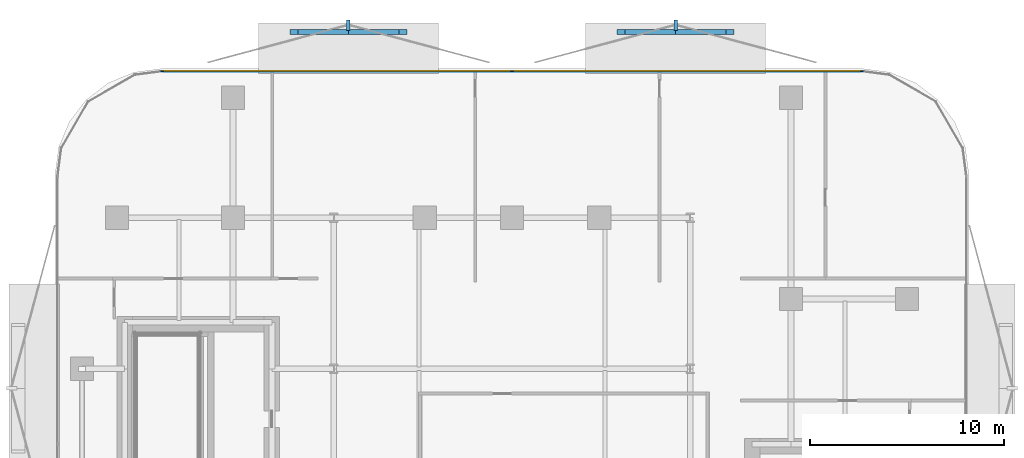
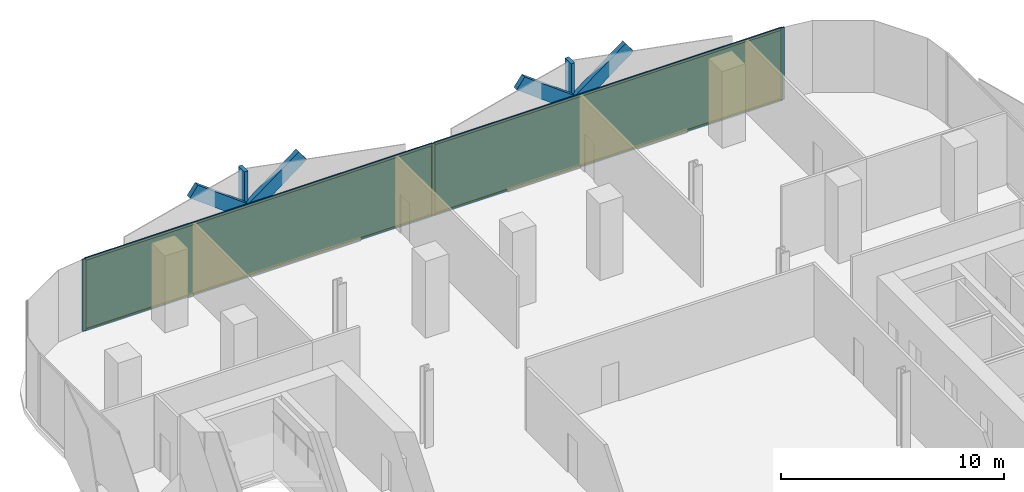
# One storey, part 10 of 15: 13 members, 2 plates, 1 curtain wall.
"""IFC4 building model written with IfcOpenShell, lengths in metres."""

from ifc_helpers import new_model, si_unit, direction, frame, frame_2d, origin, origin_2d, place, context, subcontext, project, spatial, rectangle, extrude, material, layer, layer_set, material_profile, profile_set, type_object, element, aggregate, save


model = new_model("IFC4")

# Units and contexts
model_context = context("Model", 3, precision=1e-05, world=origin(), true_north=direction((0.0, 1.0)))
body_context = subcontext(model_context, "Body", "Model", "MODEL_VIEW")
ifc_project = project(units=[si_unit("LENGTHUNIT", "METRE"), si_unit("AREAUNIT", "SQUARE_METRE"), si_unit("VOLUMEUNIT", "CUBIC_METRE"), si_unit("PLANEANGLEUNIT", "RADIAN"), si_unit("MASSUNIT", "GRAM", prefix="KILO")], contexts=[model_context])

# Member
ifc_material_1 = material(Name="Anodised Bronze Aluminium 6063-T6", Category="aluminium")
ifc_material_profile_1 = material_profile(ifc_material_1, rectangle(XDim=0.260009765625, YDim=0.699951171875, at=origin_2d()))
ifc_profile_set_1 = profile_set([ifc_material_profile_1], Name="Anodised Bronze Aluminium 6063-T6")
member_type_1 = type_object("IfcMemberType", Name="Bronze Diamond Solar-Screen Lattice Rib BDL-700", PredefinedType="MULLION", material=ifc_profile_set_1)
site_placement = place(None, origin())
building_placement = place(site_placement, origin())
storey_placement = place(building_placement, frame((0.0, 0.0, 122.60009765625)))
member_1_placement = place(storey_placement, frame((-11.260498046875, 28.199951171875, -0.130126953125), z_axis=(0.80154474731, 0.0, 0.597934794154), x_axis=(0.0, 1.0, 0.0)))
member_1 = element("IfcMember", 1, at=member_1_placement, type_object=member_type_1, Name="L28 Bronze Diamond Solar Screen Lattice Rib 173A", PredefinedType="MULLION", context=body_context, shape_type="SweptSolid", body=[
    extrude(rectangle(XDim=0.260009765625, YDim=0.699951171875, at=origin_2d()), origin(), (0.0, 0.0, 1.0), 7.024169921875),
])

member_2_placement = place(storey_placement, frame((-5.63037109375, 28.199951171875, -0.130126953125), z_axis=(-0.80154474731, 0.0, 0.597934794154), x_axis=(0.0, -1.0, 0.0)))
member_2 = element("IfcMember", 2, at=member_2_placement, type_object=member_type_1, Name="L28 Bronze Diamond Solar Screen Lattice Rib 173B", PredefinedType="MULLION", context=body_context, shape_type="SweptSolid", body=[
    extrude(rectangle(XDim=0.260009765625, YDim=0.699951171875, at=origin_2d()), origin(), (0.0, 0.0, 1.0), 7.024169921875),
])

member_3_placement = place(storey_placement, frame((5.63037109375, 28.199951171875, -0.130126953125), z_axis=(0.80154474731, 0.0, 0.597934794154), x_axis=(0.0, 1.0, 0.0)))
member_3 = element("IfcMember", 3, at=member_3_placement, type_object=member_type_1, Name="L28 Bronze Diamond Solar Screen Lattice Rib 174A", PredefinedType="MULLION", context=body_context, shape_type="SweptSolid", body=[
    extrude(rectangle(XDim=0.260009765625, YDim=0.699951171875, at=origin_2d()), origin(), (0.0, 0.0, 1.0), 7.024169921875),
])

member_4_placement = place(storey_placement, frame((11.260498046875, 28.199951171875, -0.130126953125), z_axis=(-0.80154474731, 0.0, 0.597934794154), x_axis=(0.0, -1.0, 0.0)))
member_4 = element("IfcMember", 4, at=member_4_placement, type_object=member_type_1, Name="L28 Bronze Diamond Solar Screen Lattice Rib 174B", PredefinedType="MULLION", context=body_context, shape_type="SweptSolid", body=[
    extrude(rectangle(XDim=0.260009765625, YDim=0.699951171875, at=origin_2d()), origin(), (0.0, 0.0, 1.0), 7.024169921875),
])

ifc_material_2 = material(Name="Anodised Bronze Aluminium 6063-T6", Category="aluminium")
ifc_material_profile_2 = material_profile(ifc_material_2, rectangle(XDim=0.179931640625, YDim=0.5400390625, at=origin_2d()))
ifc_profile_set_2 = profile_set([ifc_material_profile_2], Name="Anodised Bronze Aluminium 6063-T6")
member_type_2 = type_object("IfcMemberType", Name="Bronze Solar-Screen Vertical Fold Fin BSF-540", PredefinedType="MULLION", material=ifc_profile_set_2)
member_5_placement = place(storey_placement, frame((-8.4453125, 28.5400390625, -0.130126953125), z_axis=(0.0, 0.0, 1.0), x_axis=(1.0, 0.0, 0.0)))
member_5 = element("IfcMember", 5, at=member_5_placement, type_object=member_type_2, Name="L28 Bronze Solar Screen Vertical Fin 173", PredefinedType="MULLION", context=body_context, shape_type="SweptSolid", body=[
    extrude(rectangle(XDim=0.179931640625, YDim=0.5400390625, at=origin_2d()), origin(), (0.0, 0.0, 1.0), 4.199951171875),
])

member_6_placement = place(storey_placement, frame((8.4453125, 28.5400390625, -0.130126953125), z_axis=(0.0, 0.0, 1.0), x_axis=(1.0, 0.0, 0.0)))
member_6 = element("IfcMember", 6, at=member_6_placement, type_object=member_type_2, Name="L28 Bronze Solar Screen Vertical Fin 174", PredefinedType="MULLION", context=body_context, shape_type="SweptSolid", body=[
    extrude(rectangle(XDim=0.179931640625, YDim=0.5400390625, at=origin_2d()), origin(), (0.0, 0.0, 1.0), 4.199951171875),
])

ifc_material_3 = material(Name="Anodised Bronze Aluminium 6063-T6", Category="aluminium")
ifc_material_profile_3 = material_profile(ifc_material_3, rectangle(XDim=0.06494140625, YDim=0.175048828125, at=origin_2d()))
ifc_profile_set_3 = profile_set([ifc_material_profile_3], Name="Anodised Bronze Aluminium 6063-T6")
member_type_3 = type_object("IfcMemberType", Name="CW-Z2 Mullion 65x175", PredefinedType="MULLION", material=ifc_profile_set_3)
member_7_placement = place(storey_placement, frame((-18.058349609375, 26.159912109375, 0.0), z_axis=(0.0, 0.0, 1.0), x_axis=(0.0, 1.0, 0.0)))
member_7 = element("IfcMember", 7, at=member_7_placement, type_object=member_type_3, Name="CW-Z2 mullion 1", PredefinedType="MULLION", context=body_context, shape_type="SweptSolid", body=[
    extrude(rectangle(XDim=0.06494140625, YDim=0.175048828125, at=origin_2d()), origin(), (0.0, 0.0, 1.0), 3.93994140625),
])

member_8_placement = place(storey_placement, frame((0.0, 26.159912109375, 0.0), z_axis=(0.0, 0.0, 1.0), x_axis=(0.0, 1.0, 0.0)))
member_8 = element("IfcMember", 8, at=member_8_placement, type_object=member_type_3, Name="CW-Z2 mullion 2", PredefinedType="MULLION", context=body_context, shape_type="SweptSolid", body=[
    extrude(rectangle(XDim=0.06494140625, YDim=0.175048828125, at=origin_2d()), origin(), (0.0, 0.0, 1.0), 3.93994140625),
])

member_9_placement = place(storey_placement, frame((18.058349609375, 26.159912109375, 0.0), z_axis=(0.0, 0.0, 1.0), x_axis=(0.0, 1.0, 0.0)))
member_9 = element("IfcMember", 9, at=member_9_placement, type_object=member_type_3, Name="CW-Z2 mullion 3", PredefinedType="MULLION", context=body_context, shape_type="SweptSolid", body=[
    extrude(rectangle(XDim=0.06494140625, YDim=0.175048828125, at=origin_2d()), origin(), (0.0, 0.0, 1.0), 3.93994140625),
])

ifc_material_4 = material(Name="Anodised Bronze Aluminium 6063-T6", Category="aluminium")
ifc_material_profile_4 = material_profile(ifc_material_4, rectangle(XDim=0.06494140625, YDim=0.135009765625, at=origin_2d()))
ifc_profile_set_4 = profile_set([ifc_material_profile_4], Name="Anodised Bronze Aluminium 6063-T6")
member_type_4 = type_object("IfcMemberType", Name="CW-Z2 Transom 65x135", PredefinedType="USERDEFINED", material=ifc_profile_set_4)
member_10_placement = place(storey_placement, frame((-18.02587890625, 26.159912109375, 0.032470703125), z_axis=(1.0, 0.0, 0.0), x_axis=(0.0, 1.0, 0.0)))
member_10 = element("IfcMember", 10, at=member_10_placement, type_object=member_type_4, Name="CW-Z2 transom 1.1", ObjectType="TRANSOM", PredefinedType="USERDEFINED", context=body_context, shape_type="SweptSolid", body=[
    extrude(rectangle(XDim=0.06494140625, YDim=0.135009765625, at=origin_2d()), origin(), (0.0, 0.0, 1.0), 17.993408203125),
])

member_11_placement = place(storey_placement, frame((-18.02587890625, 26.159912109375, 3.907470703125), z_axis=(1.0, 0.0, 0.0), x_axis=(0.0, 1.0, 0.0)))
member_11 = element("IfcMember", 11, at=member_11_placement, type_object=member_type_4, Name="CW-Z2 transom 1.2", ObjectType="TRANSOM", PredefinedType="USERDEFINED", context=body_context, shape_type="SweptSolid", body=[
    extrude(rectangle(XDim=0.06494140625, YDim=0.135009765625, at=origin_2d()), origin(), (0.0, 0.0, 1.0), 17.993408203125),
])

member_12_placement = place(storey_placement, frame((0.032470703125, 26.159912109375, 0.032470703125), z_axis=(1.0, 0.0, 0.0), x_axis=(0.0, 1.0, 0.0)))
member_12 = element("IfcMember", 12, at=member_12_placement, type_object=member_type_4, Name="CW-Z2 transom 2.1", ObjectType="TRANSOM", PredefinedType="USERDEFINED", context=body_context, shape_type="SweptSolid", body=[
    extrude(rectangle(XDim=0.06494140625, YDim=0.135009765625, at=origin_2d()), origin(), (0.0, 0.0, 1.0), 17.993408203125),
])

member_13_placement = place(storey_placement, frame((0.032470703125, 26.159912109375, 3.907470703125), z_axis=(1.0, 0.0, 0.0), x_axis=(0.0, 1.0, 0.0)))
member_13 = element("IfcMember", 13, at=member_13_placement, type_object=member_type_4, Name="CW-Z2 transom 2.2", ObjectType="TRANSOM", PredefinedType="USERDEFINED", context=body_context, shape_type="SweptSolid", body=[
    extrude(rectangle(XDim=0.06494140625, YDim=0.135009765625, at=origin_2d()), origin(), (0.0, 0.0, 1.0), 17.993408203125),
])

# Plate
ifc_material_5 = material(Name="Low-E Solar Control Laminated Glass", Category="glass")
ifc_layer_1 = layer(ifc_material_5, 0.028076171875, Name="Low-E Solar Control Laminated Glass")
ifc_layer_set_1 = layer_set([ifc_layer_1], Name="Low-E Solar Control Laminated Glass")
plate_type = type_object("IfcPlateType", Name="CW-Z2 Low-E Double Glazed Panel 28mm", PredefinedType="CURTAIN_PANEL", material=ifc_layer_set_1)
plate_1_placement = place(storey_placement, frame((-9.029052734375, 26.159912109375, 0.06494140625), z_axis=(0.0, 0.0, 1.0), x_axis=(1.0, 0.0, 0.0)))
plate_1 = element("IfcPlate", 14, at=plate_1_placement, type_object=plate_type, Name="CW-Z2 panel 1.1", PredefinedType="CURTAIN_PANEL", context=body_context, shape_type="SweptSolid", body=[
    extrude(rectangle(XDim=17.993408203125, YDim=0.028076171875, at=origin_2d()), origin(), (0.0, 0.0, 1.0), 3.81005859375),
])

plate_2_placement = place(storey_placement, frame((9.029052734375, 26.159912109375, 0.06494140625), z_axis=(0.0, 0.0, 1.0), x_axis=(1.0, 0.0, 0.0)))
plate_2 = element("IfcPlate", 15, at=plate_2_placement, type_object=plate_type, Name="CW-Z2 panel 2.1", PredefinedType="CURTAIN_PANEL", context=body_context, shape_type="SweptSolid", body=[
    extrude(rectangle(XDim=17.993408203125, YDim=0.028076171875, at=origin_2d()), origin(), (0.0, 0.0, 1.0), 3.81005859375),
])

# Site, building, storey
site = spatial("IfcSite", under=ifc_project, at=site_placement, CompositionType="ELEMENT")
building = spatial("IfcBuilding", under=site, at=building_placement, Name="Khairoan Windgate Tower", CompositionType="ELEMENT")
storey = spatial("IfcBuildingStorey", under=building, at=storey_placement, Name="L28", CompositionType="ELEMENT", Elevation=122.60009765625)

# Curtain wall
ifc_material_6 = material(Name="Anodised Bronze Aluminium 6063-T6", Category="aluminium")
ifc_layer_2 = layer(ifc_material_6, 0.175048828125, Name="Anodised Bronze Aluminium 6063-T6")
ifc_layer_set_2 = layer_set([ifc_layer_2], Name="Anodised Bronze Aluminium 6063-T6")
curtain_wall_type = type_object("IfcCurtainWallType", Name="Mid-Rise Office Unitised Curtain Wall CW-Z2", PredefinedType="NOTDEFINED", material=ifc_layer_set_2)
curtain_wall_placement = place(storey_placement, frame((-18.0908203125, 26.159912109375, 0.0), z_axis=(0.0, 0.0, 1.0), x_axis=(1.0, 0.0, 0.0)))
curtain_wall = element("IfcCurtainWall", 16, at=curtain_wall_placement, inside=storey, type_object=curtain_wall_type, Name="L28 Unitised Curtain Wall 11", PredefinedType="NOTDEFINED", context=body_context, shape_type="SweptSolid", body=[
    extrude(rectangle(XDim=36.181640625, YDim=0.010009765625, at=frame_2d((18.0908203125, 0.0))), origin(), (0.0, 0.0, 1.0), 3.93994140625),
])

aggregate(curtain_wall, [member_7, member_8, member_9, member_10, member_11, plate_1, member_12, member_13, plate_2, member_1, member_2, member_5, member_3, member_4, member_6])

save(model, "model.ifc")
